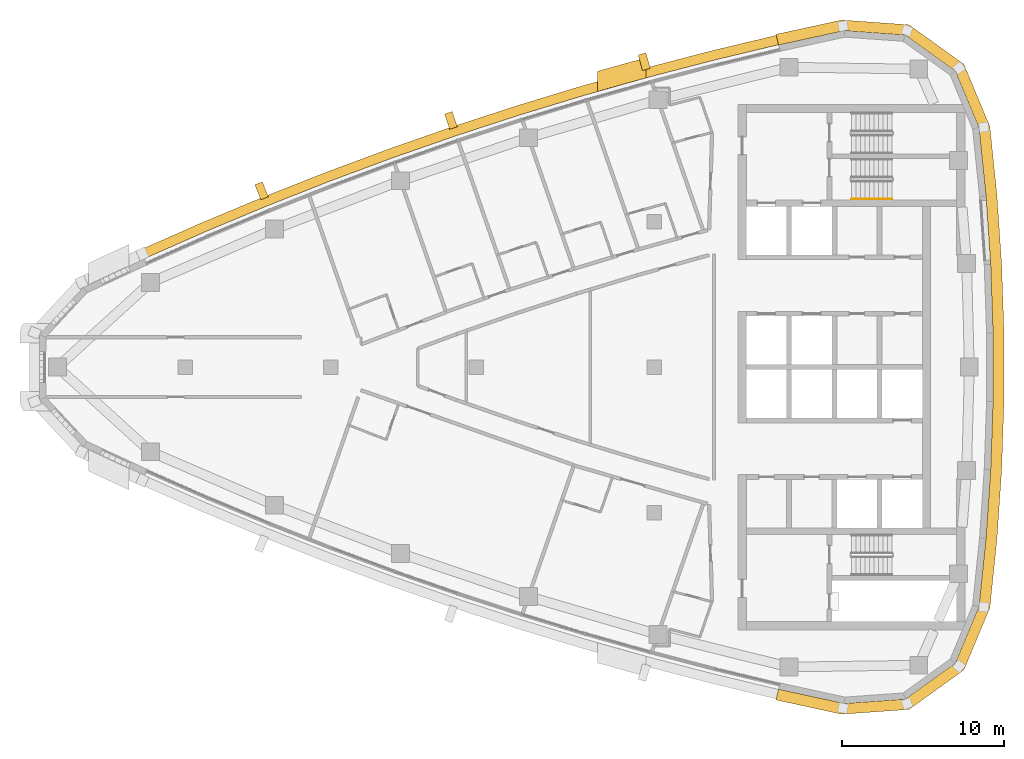
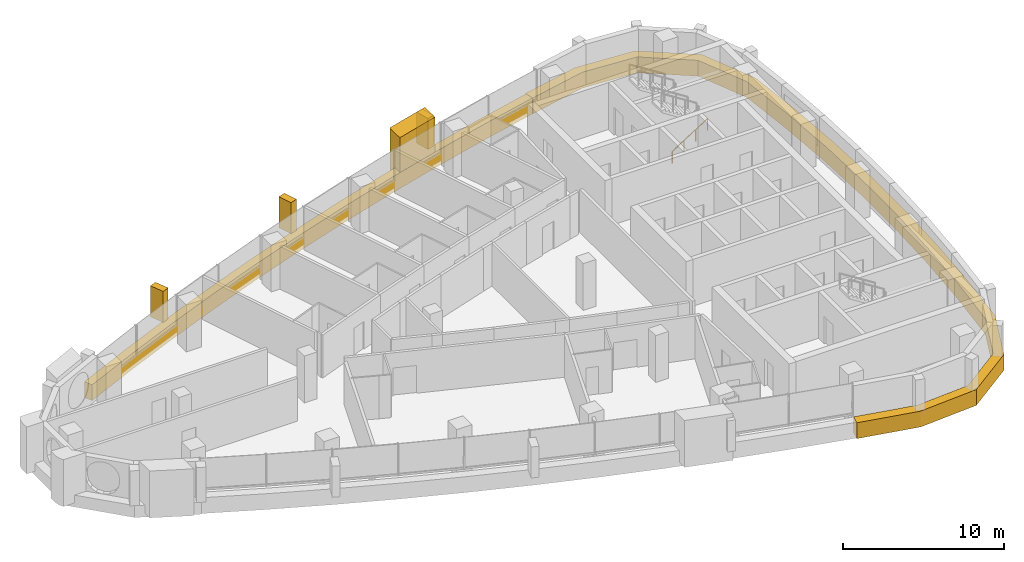
# One storey, part 13 of 14: 6 coverings, 1 railing.
"""IFC4 building model written with IfcOpenShell, lengths in metres."""

import ifcopenshell
import ifcopenshell.guid

model = None  # the IFC model being written
_history = None  # IfcOwnerHistory: only IFC2X3 demands one
_inside = {}  # id of a spatial element -> (the spatial element, [elements in it])
_under = {}  # id of a project, library or spatial element -> (it, [spatial elements below it])
_declared = {}  # id of a project -> (the project, [libraries it declares])
_typed = {}  # id of a type object -> (the type object, [elements of that type])
_made_of = {}  # id of a material, layer set ... -> (it, [elements and type objects made of it])


def new_model(schema):
    """Start an empty IFC model of exactly this schema.

    Asked for "IFC4X3", IfcOpenShell would pick the latest addendum, in which some entities
    have other attributes; the version numbers below select the first issue.
    IFC2X3 requires an IfcOwnerHistory on every rooted entity: one is made here for all.
    """
    global model, _history
    if schema == "IFC4X3":
        model = ifcopenshell.file(schema_version=(4, 3, 0, 0))
    else:
        model = ifcopenshell.file(schema=schema)
    _inside.clear()
    _under.clear()
    _declared.clear()
    _typed.clear()
    _made_of.clear()
    _history = None
    if model.schema == "IFC2X3":
        org = make("IfcOrganization", Name="unknown")
        user = make(
            "IfcPersonAndOrganization",
            ThePerson=make("IfcPerson", FamilyName="unknown"),
            TheOrganization=org,
        )
        app = make(
            "IfcApplication",
            ApplicationDeveloper=org,
            Version="unknown",
            ApplicationFullName="unknown",
            ApplicationIdentifier="unknown",
        )
        _history = make(
            "IfcOwnerHistory",
            OwningUser=user,
            OwningApplication=app,
            ChangeAction="ADDED",
            CreationDate=0,
        )
    return model


def make(cls, **values):
    """One entity of the class cls with the attributes given. An attribute that is None is left unset."""
    return model.create_entity(
        cls, **{name: value for name, value in values.items() if value is not None}
    )


def rooted(cls, **values):
    """An entity with a GlobalId (a new one), such as an element, a storey or a relation."""
    return make(cls, GlobalId=ifcopenshell.guid.new(), OwnerHistory=_history, **values)


def si_unit(unit_type, name, prefix=None):
    """IfcSIUnit, for example si_unit("LENGTHUNIT", "METRE", prefix="MILLI")."""
    return make("IfcSIUnit", UnitType=unit_type, Prefix=prefix, Name=name)


def assignment(units):
    """IfcUnitAssignment: the units of a project."""
    return None if units is None else make("IfcUnitAssignment", Units=units)


def point(xyz):
    """IfcCartesianPoint."""
    return None if xyz is None else make("IfcCartesianPoint", Coordinates=xyz)


def direction(xyz):
    """IfcDirection."""
    return None if xyz is None else make("IfcDirection", DirectionRatios=xyz)


def frame(location, z_axis=None, x_axis=None):
    """IfcAxis2Placement3D, a coordinate frame: its origin and axes. An axis left out is left unset."""
    return make(
        "IfcAxis2Placement3D",
        Location=point(location),
        Axis=direction(z_axis),
        RefDirection=direction(x_axis),
    )


def frame_2d(location, x_axis=None):
    """IfcAxis2Placement2D, a coordinate frame in the plane: its origin and x axis."""
    return make(
        "IfcAxis2Placement2D", Location=point(location), RefDirection=direction(x_axis)
    )


def origin():
    """The frame at (0, 0, 0) with its axes left unset."""
    return frame((0.0, 0.0, 0.0))


def origin_2d():
    """The frame at (0, 0) in the plane with its x axis left unset."""
    return frame_2d((0.0, 0.0))


def place(relative_to, where):
    """IfcLocalPlacement: puts the frame where relative to a parent placement (None: the world)."""
    return make(
        "IfcLocalPlacement", PlacementRelTo=relative_to, RelativePlacement=where
    )


def context(
    kind, dimensions, precision=None, world=None, true_north=None, identifier=None
):
    """IfcGeometricRepresentationContext, for example the 3D "Model" context."""
    return make(
        "IfcGeometricRepresentationContext",
        ContextIdentifier=identifier,
        ContextType=kind,
        CoordinateSpaceDimension=dimensions,
        Precision=precision,
        WorldCoordinateSystem=world,
        TrueNorth=true_north,
    )


def subcontext(parent, identifier, kind, view, scale=None):
    """IfcGeometricRepresentationSubContext, for example "Body" below "Model"."""
    return make(
        "IfcGeometricRepresentationSubContext",
        ContextIdentifier=identifier,
        ContextType=kind,
        ParentContext=parent,
        TargetScale=scale,
        TargetView=view,
    )


def project(units=None, contexts=None):
    """IfcProject with its units and contexts."""
    return rooted(
        "IfcProject",
        Name="project",
        RepresentationContexts=contexts,
        UnitsInContext=assignment(units),
    )


def spatial(cls, under=None, at=None, **own):
    """A site, building, storey or space (cls), placed at a placement, below another one or the project."""
    s = rooted(cls, ObjectPlacement=at, **own)
    if under is not None:
        _under.setdefault(under.id(), (under, []))[1].append(s)
    return s


def polyline(points):
    """IfcPolyline through the points."""
    return make("IfcPolyline", Points=[point(p) for p in points])


def profile(cls, at=None, kind="AREA", **sizes):
    """A parametric profile (cls). Its sizes go by their IFC names, for example OverallWidth=200.0."""
    return make(cls, ProfileType=kind, Position=at, **sizes)


def rectangle(**sizes):
    """IfcRectangleProfileDef."""
    return profile("IfcRectangleProfileDef", **sizes)


def circle(**sizes):
    """IfcCircleProfileDef."""
    return profile("IfcCircleProfileDef", **sizes)


def outline(outer, holes=None, kind="AREA"):
    """IfcArbitraryClosedProfileDef: a profile drawn as a closed curve; with holes, ...WithVoids."""
    if holes is None:
        return make("IfcArbitraryClosedProfileDef", ProfileType=kind, OuterCurve=outer)
    return make(
        "IfcArbitraryProfileDefWithVoids",
        ProfileType=kind,
        OuterCurve=outer,
        InnerCurves=holes,
    )


def extrude(swept, where, along, depth):
    """IfcExtrudedAreaSolid: the profile swept, set in the frame where, extruded along a direction by depth."""
    return make(
        "IfcExtrudedAreaSolid",
        SweptArea=swept,
        Position=where,
        ExtrudedDirection=direction(along),
        Depth=depth,
    )


def shape(context_of_items, identifier, shape_type, items):
    """IfcShapeRepresentation: the items that make up one representation, for example the "Body"."""
    return make(
        "IfcShapeRepresentation",
        ContextOfItems=context_of_items,
        RepresentationIdentifier=identifier,
        RepresentationType=shape_type,
        Items=items,
    )


def material(Name=None, Category=None):
    """IfcMaterial."""
    return make("IfcMaterial", Name=Name, Category=Category)


def layer(
    of_material, thickness, ventilated=None, Name=None, Category=None, Priority=None
):
    """IfcMaterialLayer: one layer of a wall or slab, of a material (None: an air gap)."""
    return make(
        "IfcMaterialLayer",
        Material=of_material,
        LayerThickness=thickness,
        IsVentilated=ventilated,
        Name=Name,
        Category=Category,
        Priority=Priority,
    )


def layer_set(layers, Name=None):
    """IfcMaterialLayerSet."""
    return make("IfcMaterialLayerSet", MaterialLayers=layers, LayerSetName=Name)


def made_of(thing, what):
    """Note that an element or type object is made of a material, layer set ...; save() writes the relation."""
    if what is not None:
        _made_of.setdefault(what.id(), (what, []))[1].append(thing)
    return thing


def type_object(cls, material=None, **own):
    """A type object (cls), such as IfcWallType, which elements share."""
    return made_of(rooted(cls, **own), material)


def element(
    cls,
    number,
    at=None,
    inside=None,
    cuts=None,
    type_object=None,
    material=None,
    context=None,
    identifier="Body",
    shape_type=None,
    held_by="IfcProductDefinitionShape",
    body=None,
    shapes=None,
    **own,
):
    """One element of the class cls, such as IfcWall. Its Tag is "e" and its number.

    at: its placement. inside: the storey or other place that contains it. cuts: it is an
    opening in that element (IfcRelVoidsElement). A single representation is given by context,
    identifier, shape_type and body (its items); several are given by shapes. held_by: the class
    of the entity that holds the representations. save() writes the other relations.
    """
    e = rooted(cls, Tag="e%d" % number, ObjectPlacement=at, **own)
    if body is not None:
        shapes = [shape(context, identifier, shape_type, body)]
    if shapes is not None:
        e.Representation = make(held_by, Representations=shapes)
    if inside is not None:
        _inside.setdefault(inside.id(), (inside, []))[1].append(e)
    if cuts is not None:
        rooted(
            "IfcRelVoidsElement", RelatingBuildingElement=cuts, RelatedOpeningElement=e
        )
    if type_object is not None:
        _typed.setdefault(type_object.id(), (type_object, []))[1].append(e)
    return made_of(e, material)


def aggregate(whole, parts):
    """IfcRelAggregates: a whole, such as a stair, and the parts it consists of."""
    return rooted("IfcRelAggregates", RelatingObject=whole, RelatedObjects=parts)


def save(model, path):
    """Write the relations noted so far, then the file.

    IfcRelAggregates (storeys below a building ...), IfcRelContainedInSpatialStructure (elements
    in a storey), IfcRelDefinesByType, IfcRelAssociatesMaterial and IfcRelDeclares: one each for
    every whole, place, type object, material and project.
    """
    for whole, parts in _under.values():
        aggregate(whole, parts)
    for where, things in _inside.values():
        rooted(
            "IfcRelContainedInSpatialStructure",
            RelatedElements=things,
            RelatingStructure=where,
        )
    for kind, things in _typed.values():
        rooted("IfcRelDefinesByType", RelatedObjects=things, RelatingType=kind)
    for what, things in _made_of.values():
        rooted("IfcRelAssociatesMaterial", RelatedObjects=things, RelatingMaterial=what)
    for by, libraries in _declared.values():
        rooted("IfcRelDeclares", RelatingContext=by, RelatedDefinitions=libraries)
    model.write(path)


model = new_model("IFC4")

# Units and contexts
model_context = context("Model", 3, precision=1e-05, world=origin(), true_north=direction((0.0, 1.0)))
body_context = subcontext(model_context, "Body", "Model", "MODEL_VIEW")
ifc_project = project(units=[si_unit("LENGTHUNIT", "METRE"), si_unit("AREAUNIT", "SQUARE_METRE"), si_unit("VOLUMEUNIT", "CUBIC_METRE"), si_unit("PLANEANGLEUNIT", "RADIAN"), si_unit("MASSUNIT", "GRAM", prefix="KILO")], contexts=[model_context])

# Site, building, storey
site_placement = place(None, origin())
site = spatial("IfcSite", under=ifc_project, at=site_placement, CompositionType="ELEMENT")
building_placement = place(site_placement, origin())
building = spatial("IfcBuilding", under=site, at=building_placement, Name="Ostrand Prow Hotel Tower", CompositionType="ELEMENT")
storey_placement = place(building_placement, frame((0.0, 0.0, 285.64990234375)))
storey = spatial("IfcBuildingStorey", under=building, at=storey_placement, Name="L72", CompositionType="ELEMENT", Elevation=285.64990234375)

# Coverings
ifc_material_1 = material(Name="Bronze anodised aluminium cladding", Category="aluminium")
ifc_layer_1 = layer(ifc_material_1, 0.60009765625)
ifc_layer_set_1 = layer_set([ifc_layer_1], Name="Bronze anodised aluminium cladding")
covering_type_1 = type_object("IfcCoveringType", Name="Bronze spandrel band 1200x600", PredefinedType="CLADDING", material=ifc_layer_set_1)
covering_1_placement = place(storey_placement, frame((0.0, 0.0, -0.2998046875)))
element("IfcCovering", 1, at=covering_1_placement, inside=storey, type_object=covering_type_1, Name="Spandrel band N1", PredefinedType="CLADDING", context=body_context, shape_type="SweptSolid", body=[
    extrude(outline(polyline([(52.55615234375, 20.52880859375), (48.51220703125, 19.56103515625), (44.48828125, 18.51220703125), (40.486328125, 17.382568359375), (36.508056640625, 16.172607421875), (32.5546875, 14.88330078125), (28.62841796875, 13.514404296875), (24.72998046875, 12.067138671875), (20.86181640625, 10.541748046875), (17.02490234375, 8.938720703125), (13.220947265625, 7.25927734375), (13.468994140625, 6.712890625), (17.26171875, 8.3876953125), (21.08740234375, 9.98583984375), (24.944580078125, 11.5068359375), (28.83154296875, 12.949951171875), (32.74658203125, 14.314697265625), (36.6884765625, 15.6005859375), (40.6552734375, 16.806884765625), (44.6455078125, 17.93310546875), (48.65771484375, 18.97900390625), (52.68994140625, 19.94384765625), (52.55615234375, 20.52880859375)])), origin(), (0.0, 0.0, 1.0), 1.199951171875),
])
covering_2_placement = place(storey_placement, frame((0.0, 0.0, -0.2998046875)))
element("IfcCovering", 2, at=covering_2_placement, inside=storey, type_object=covering_type_1, Name="Spandrel band back 1", PredefinedType="CLADDING", context=body_context, shape_type="SweptSolid", body=[
    extrude(outline(polyline([(52.542236328125, -20.58984375), (56.606201171875, -21.476318359375), (60.771728515625, -21.17919921875), (64.162841796875, -18.741455078125), (65.77197265625, -14.887451171875), (66.2080078125, -10.646240234375), (66.498779296875, -6.392822265625), (66.644287109375, -2.131591796875), (66.644287109375, 2.131591796875), (66.498779296875, 6.392822265625), (66.2080078125, 10.646240234375), (65.77197265625, 14.887451171875), (64.162841796875, 18.741455078125), (60.771728515625, 21.17919921875), (56.606201171875, 21.476318359375), (52.542236328125, 20.58984375), (52.69384765625, 19.927001953125), (56.744384765625, 20.810546875), (60.540283203125, 20.539794921875), (63.630615234375, 18.318359375), (65.0966796875, 14.806396484375), (65.530517578125, 10.58837890625), (65.819580078125, 6.35791015625), (65.964599609375, 2.1201171875), (65.964599609375, -2.1201171875), (65.819580078125, -6.35791015625), (65.530517578125, -10.58837890625), (65.0966796875, -14.806396484375), (63.630615234375, -18.318359375), (60.540283203125, -20.539794921875), (56.744384765625, -20.810546875), (52.69384765625, -19.927001953125), (52.542236328125, -20.58984375)])), origin(), (0.0, 0.0, 1.0), 1.199951171875),
])
ifc_material_2 = material(Name="Limestone cladding", Category="masonry")
ifc_layer_2 = layer(ifc_material_2, 5.0)
ifc_layer_set_2 = layer_set([ifc_layer_2], Name="Limestone cladding")
covering_type_2 = type_object("IfcCoveringType", Name="Portal jamb pilaster limestone", PredefinedType="CLADDING", material=ifc_layer_set_2)
covering_3_placement = place(storey_placement, origin())
element("IfcCovering", 3, at=covering_3_placement, inside=storey, type_object=covering_type_2, Name="Portal jamb NB L72", PredefinedType="CLADDING", context=body_context, shape_type="SweptSolid", body=[
    extrude(outline(polyline([(41.5, 17.052490234375), (42.5, 17.338134765625), (43.5, 17.61865234375), (44.5, 17.8935546875), (44.5, 19.136962890625), (43.5, 18.86376953125), (42.5, 18.585205078125), (41.5, 18.301025390625), (41.5, 17.052490234375)])), origin(), (0.0, 0.0, 1.0), 3.550048828125),
])
ifc_material_3 = material(Name="Limestone cladding", Category="masonry")
ifc_layer_3 = layer(ifc_material_3, 0.5)
ifc_layer_set_3 = layer_set([ifc_layer_3], Name="Limestone cladding")
covering_type_3 = type_object("IfcCoveringType", Name="Precast stone fin 500x900", PredefinedType="CLADDING", material=ifc_layer_set_3)
for number, where, z_axis, x_axis, name in (
    (4, (44.514404296875, 18.41552734375, 0.900146484375), (0.0, 0.0, 1.0), (-0.261960376774, 0.965078629439, 0.0), "Stone fin N 3"),
    (5, (32.5869140625, 14.78857421875, 0.900146484375), (0.0, 0.0, 1.0), (-0.319814258793, 0.947480258302, 0.0), "Stone fin N 6"),
):
    element("IfcCovering", number, at=place(storey_placement, frame(where, z_axis=z_axis, x_axis=x_axis)), inside=storey, type_object=covering_type_3, Name=name, PredefinedType="CLADDING", context=body_context, shape_type="SweptSolid", body=[
        extrude(rectangle(XDim=1.0, YDim=0.5, at=frame_2d((0.5, 0.0))), origin(), (0.0, 0.0, 1.0), 2.349853515625),
    ])
covering_4_placement = place(storey_placement, frame((20.8994140625, 10.44921875, 0.900146484375), z_axis=(0.0, 0.0, 1.0), x_axis=(-0.376311544034, 0.926493184987, 0.0)))
element("IfcCovering", 6, at=covering_4_placement, inside=storey, type_object=covering_type_3, Name="Stone fin N 9", PredefinedType="CLADDING", context=body_context, shape_type="SweptSolid", body=[
    extrude(rectangle(XDim=0.999755859375, YDim=0.5, at=frame_2d((0.5, 0.0))), origin(), (0.0, 0.0, 1.0), 2.349853515625),
])

# Railing
ifc_material_4 = material(Name="Stainless steel", Category="steel")
railing_type = type_object("IfcRailingType", Name="Stair handrail 900", PredefinedType="HANDRAIL", material=ifc_material_4)
railing_placement = place(storey_placement, frame((57.199951171875, 10.39990234375, 0.177490234375)))
element("IfcRailing", 7, at=railing_placement, inside=storey, type_object=railing_type, Name="L72 ST1C stair handrail 1", PredefinedType="HANDRAIL", context=body_context, shape_type="SweptSolid", body=[
    extrude(circle(Radius=0.02392578125, at=origin_2d()), frame((0.0, 0.0, 0.8759765625), z_axis=(0.84456994832, 0.0, 0.535445237532), x_axis=(0.0, 1.0, 0.0)), (0.0, 0.0, 1.0), 2.98388671875),
    extrude(circle(Radius=0.02099609375, at=origin_2d()), origin(), (0.0, 0.0, 1.0), 0.851806640625),
    extrude(circle(Radius=0.02099609375, at=origin_2d()), frame((0.840087890625, 0.0, 0.532470703125)), (0.0, 0.0, 1.0), 0.851806640625),
    extrude(circle(Radius=0.02099609375, at=origin_2d()), frame((1.679931640625, 0.0, 1.065185546875)), (0.0, 0.0, 1.0), 0.851806640625),
    extrude(circle(Radius=0.02099609375, at=origin_2d()), frame((2.52001953125, 0.0, 1.59765625)), (0.0, 0.0, 1.0), 0.851806640625),
])

save(model, "model.ifc")
